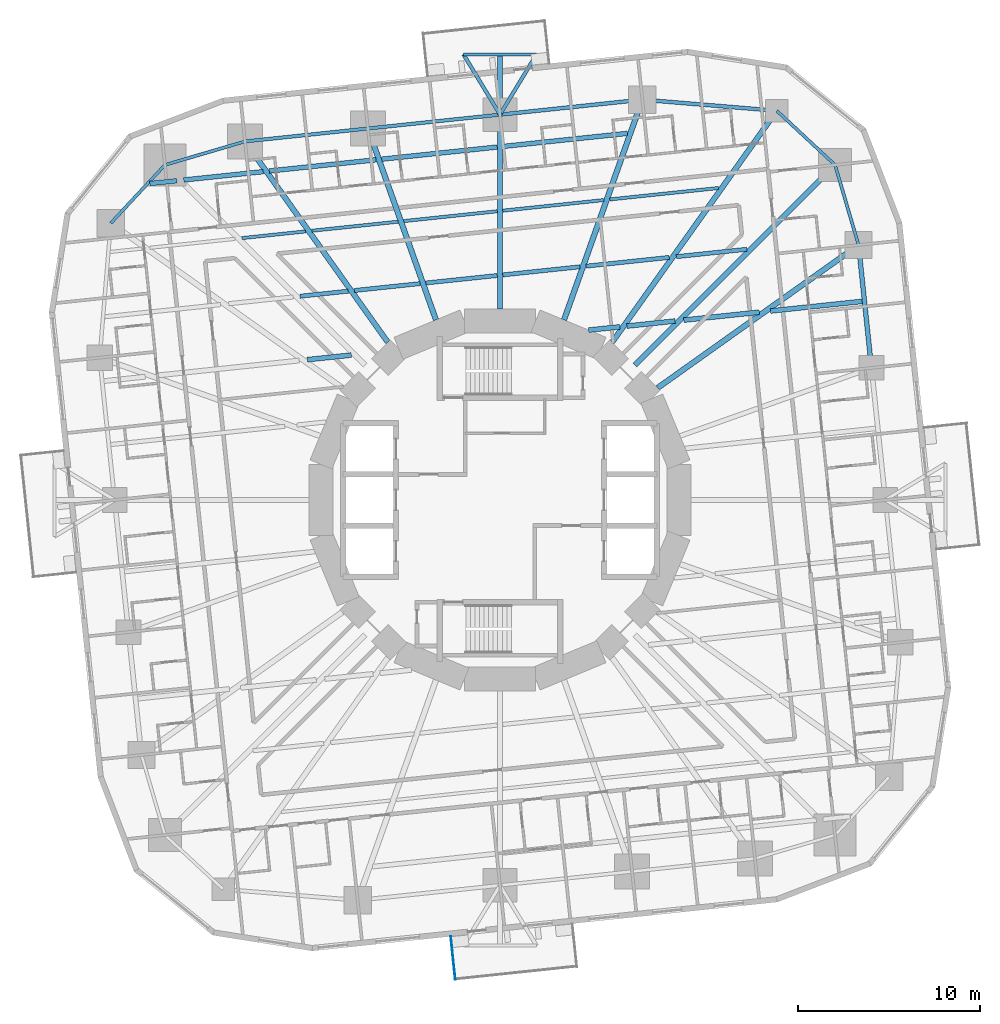
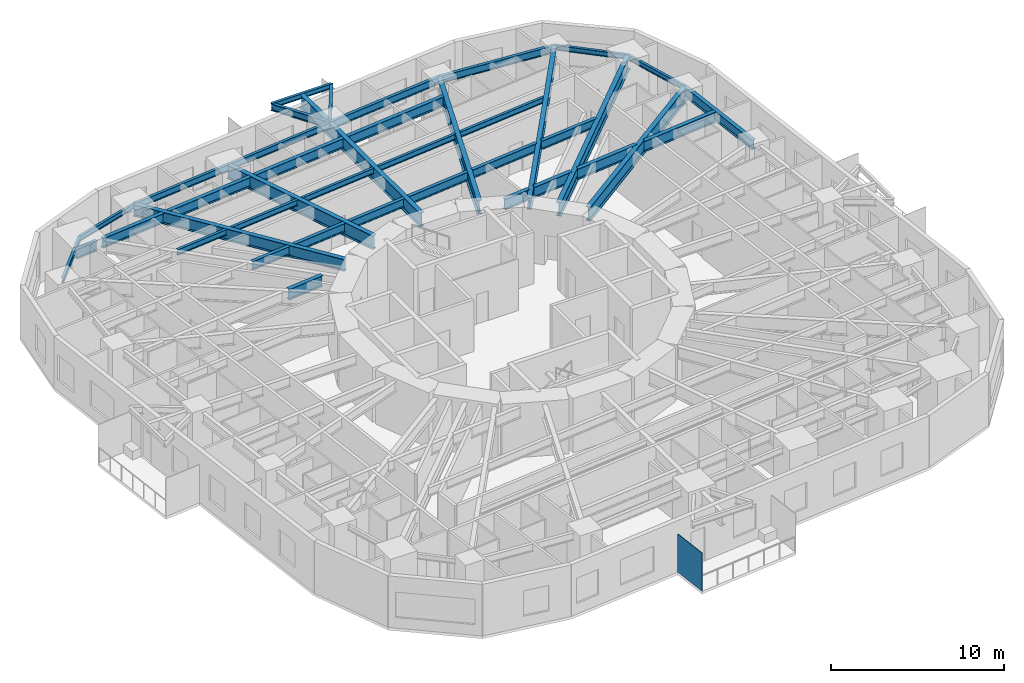
# One storey, part 3 of 15: 40 beams, 1 plate.
"""IFC4 building model written with IfcOpenShell, lengths in metres."""

from ifc_helpers import new_model, si_unit, direction, frame, origin, origin_2d, place, context, subcontext, project, spatial, rectangle, i_section, extrude, material, layer, layer_set, material_profile, profile_set, type_object, element, save


model = new_model("IFC4")

# Units and contexts
model_context = context("Model", 3, precision=1e-05, world=origin(), true_north=direction((0.0, 1.0)))
body_context = subcontext(model_context, "Body", "Model", "MODEL_VIEW")
ifc_project = project(units=[si_unit("LENGTHUNIT", "METRE"), si_unit("AREAUNIT", "SQUARE_METRE"), si_unit("VOLUMEUNIT", "CUBIC_METRE"), si_unit("PLANEANGLEUNIT", "RADIAN"), si_unit("MASSUNIT", "GRAM", prefix="KILO")], contexts=[model_context])

# Site, building, storey
site_placement = place(None, origin())
site = spatial("IfcSite", under=ifc_project, at=site_placement, CompositionType="ELEMENT")
building_placement = place(site_placement, origin())
building = spatial("IfcBuilding", under=site, at=building_placement, Name="Nakasero Lantern House", CompositionType="ELEMENT")
storey_placement = place(building_placement, frame((0.0, 0.0, 68.199951171875)))
storey = spatial("IfcBuildingStorey", under=building, at=storey_placement, Name="L16", CompositionType="ELEMENT", Elevation=68.199951171875)

# Beams
ifc_material_1 = material(Name="Steel S355", Category="steel")
ifc_material_profile_1 = material_profile(ifc_material_1, i_section(OverallWidth=0.199462890625, OverallDepth=0.491943359375, WebThickness=0.01806640625, FlangeThickness=0.031982421875, FilletRadius=0.01025390625, at=origin_2d()), Name="UB 457x191x161")
ifc_profile_set_1 = profile_set([ifc_material_profile_1], Name="Steel S355")
beam_type_1 = type_object("IfcBeamType", Name="Balcony splay beam UB 457x191x161", PredefinedType="BEAM", material=ifc_profile_set_1)
for number, where, z_axis, x_axis, name in (
    (1, (0.0, 21.11572265625, 3.404052734375), (-0.518296107317, 0.855201230787, 0.0), (-0.855201230787, -0.518296107317, 0.0), "Balcony splay beam L17 B2-C09A"),
    (2, (0.0, 21.11572265625, 3.404052734375), (0.518296107317, 0.855201230787, 0.0), (-0.855201230787, 0.518296107317, 0.0), "Balcony splay beam L17 B2-C09B"),
):
    element("IfcBeam", number, at=place(storey_placement, frame(where, z_axis=z_axis, x_axis=x_axis)), inside=storey, type_object=beam_type_1, Name=name, PredefinedType="BEAM", context=body_context, shape_type="SweptSolid", body=[
        extrude(i_section(OverallWidth=0.199462890625, OverallDepth=0.491943359375, WebThickness=0.01806640625, FlangeThickness=0.031982421875, FilletRadius=0.01025390625, at=origin_2d()), origin(), (0.0, 0.0, 1.0), 3.85888671875),
    ])
ifc_material_2 = material(Name="Steel S355", Category="steel")
ifc_material_profile_2 = material_profile(ifc_material_2, i_section(OverallWidth=0.17138671875, OverallDepth=0.35498046875, WebThickness=0.00732421875, FlangeThickness=0.011474609375, FilletRadius=0.01025390625, at=origin_2d()), Name="UB 356x171x51")
ifc_profile_set_2 = profile_set([ifc_material_profile_2], Name="Steel S355")
beam_type_2 = type_object("IfcBeamType", Name="Balcony tie beam UB 356x171x51", PredefinedType="BEAM", material=ifc_profile_set_2)
beam_1_placement = place(storey_placement, frame((-2.0, 24.415771484375, 3.47265625), z_axis=(1.0, 0.0, 0.0), x_axis=(0.0, 1.0, 0.0)))
element("IfcBeam", 3, at=beam_1_placement, inside=storey, type_object=beam_type_2, Name="Balcony tie beam L17 B2-C09", PredefinedType="BEAM", context=body_context, shape_type="SweptSolid", body=[
    extrude(i_section(OverallWidth=0.17138671875, OverallDepth=0.35498046875, WebThickness=0.00732421875, FlangeThickness=0.011474609375, FilletRadius=0.01025390625, at=origin_2d()), origin(), (0.0, 0.0, 1.0), 4.0),
])
ifc_material_3 = material(Name="Steel S355", Category="steel")
ifc_material_profile_3 = material_profile(ifc_material_3, i_section(OverallWidth=0.177978515625, OverallDepth=0.406494140625, WebThickness=0.0078125, FlangeThickness=0.0126953125, FilletRadius=0.01025390625, at=origin_2d()), Name="UB 406x178x60")
ifc_profile_set_3 = profile_set([ifc_material_profile_3], Name="Steel S355")
beam_type_3 = type_object("IfcBeamType", Name="Infill beam UB 406x178x60", PredefinedType="JOIST", material=ifc_profile_set_3)
beam_2_placement = place(storey_placement, frame((-14.1435546875, 14.35009765625, 3.44677734375), z_axis=(0.994521415391, 0.104533029842, 0.0), x_axis=(-0.104533029842, 0.994521415391, 0.0)))
element("IfcBeam", 4, at=beam_2_placement, inside=storey, type_object=beam_type_3, Name="Infill beam L17 12.3", PredefinedType="JOIST", context=body_context, shape_type="SweptSolid", body=[
    extrude(i_section(OverallWidth=0.177978515625, OverallDepth=0.406494140625, WebThickness=0.0078125, FlangeThickness=0.0126953125, FilletRadius=0.01025390625, at=origin_2d()), origin(), (0.0, 0.0, 1.0), 3.517333984375),
])
beam_3_placement = place(storey_placement, frame((-10.3115234375, 14.7529296875, 3.44677734375), z_axis=(0.994523439889, 0.104513767091, 0.0), x_axis=(-0.104513767091, 0.994523439889, 0.0)))
element("IfcBeam", 5, at=beam_3_placement, inside=storey, type_object=beam_type_3, Name="Infill beam L17 12.4", PredefinedType="JOIST", context=body_context, shape_type="SweptSolid", body=[
    extrude(i_section(OverallWidth=0.177978515625, OverallDepth=0.406494140625, WebThickness=0.0078125, FlangeThickness=0.0126953125, FilletRadius=0.01025390625, at=origin_2d()), origin(), (0.0, 0.0, 1.0), 4.756103515625),
])
beam_4_placement = place(storey_placement, frame((-5.2744140625, 15.282470703125, 3.44677734375), z_axis=(0.994522574566, 0.104522000929, 0.0), x_axis=(-0.104522000929, 0.994522574566, 0.0)))
element("IfcBeam", 6, at=beam_4_placement, inside=storey, type_object=beam_type_3, Name="Infill beam L17 12.5", PredefinedType="JOIST", context=body_context, shape_type="SweptSolid", body=[
    extrude(i_section(OverallWidth=0.177978515625, OverallDepth=0.406494140625, WebThickness=0.0078125, FlangeThickness=0.0126953125, FilletRadius=0.01025390625, at=origin_2d()), origin(), (0.0, 0.0, 1.0), 5.15283203125),
])
beam_5_placement = place(storey_placement, frame((0.14990234375, 15.8525390625, 3.44677734375), z_axis=(0.994524188375, 0.104506644464, 0.0), x_axis=(-0.104506644464, 0.994524188375, 0.0)))
element("IfcBeam", 7, at=beam_5_placement, inside=storey, type_object=beam_type_3, Name="Infill beam L17 12.6", PredefinedType="JOIST", context=body_context, shape_type="SweptSolid", body=[
    extrude(i_section(OverallWidth=0.177978515625, OverallDepth=0.406494140625, WebThickness=0.0078125, FlangeThickness=0.0126953125, FilletRadius=0.01025390625, at=origin_2d()), origin(), (0.0, 0.0, 1.0), 5.564697265625),
])
beam_6_placement = place(storey_placement, frame((6.014892578125, 16.468994140625, 3.44677734375), z_axis=(0.994521729164, 0.104530044579, 0.0), x_axis=(-0.104530044579, 0.994521729164, 0.0)))
element("IfcBeam", 8, at=beam_6_placement, inside=storey, type_object=beam_type_3, Name="Infill beam L17 12.7", PredefinedType="JOIST", context=body_context, shape_type="SweptSolid", body=[
    extrude(i_section(OverallWidth=0.177978515625, OverallDepth=0.406494140625, WebThickness=0.0078125, FlangeThickness=0.0126953125, FilletRadius=0.01025390625, at=origin_2d()), origin(), (0.0, 0.0, 1.0), 5.99560546875),
])
ifc_material_4 = material(Name="Steel S355", Category="steel")
ifc_material_profile_4 = material_profile(ifc_material_4, i_section(OverallWidth=0.22900390625, OverallDepth=0.6123046875, WebThickness=0.011962890625, FlangeThickness=0.01953125, FilletRadius=0.0126953125, at=origin_2d()), Name="UB 610x229x125")
ifc_profile_set_4 = profile_set([ifc_material_profile_4], Name="Steel S355")
beam_type_4 = type_object("IfcBeamType", Name="Infill beam UB 610x229x125", PredefinedType="JOIST", material=ifc_profile_set_4)
beam_7_placement = place(storey_placement, frame((-10.958984375, 11.165771484375, 3.343994140625), z_axis=(0.994526079282, 0.104488648322, 0.0), x_axis=(-0.104488648322, 0.994526079282, 0.0)))
element("IfcBeam", 9, at=beam_7_placement, inside=storey, type_object=beam_type_4, Name="Infill beam L17 11.3", PredefinedType="JOIST", context=body_context, shape_type="SweptSolid", body=[
    extrude(i_section(OverallWidth=0.22900390625, OverallDepth=0.6123046875, WebThickness=0.011962890625, FlangeThickness=0.01953125, FilletRadius=0.0126953125, at=origin_2d()), origin(), (0.0, 0.0, 1.0), 2.65673828125),
])
beam_8_placement = place(storey_placement, frame((-7.983154296875, 11.478515625, 3.343994140625), z_axis=(0.994523507044, 0.104513128058, 0.0), x_axis=(-0.104513128058, 0.994523507044, 0.0)))
element("IfcBeam", 10, at=beam_8_placement, inside=storey, type_object=beam_type_4, Name="Infill beam L17 11.4", PredefinedType="JOIST", context=body_context, shape_type="SweptSolid", body=[
    extrude(i_section(OverallWidth=0.22900390625, OverallDepth=0.6123046875, WebThickness=0.011962890625, FlangeThickness=0.01953125, FilletRadius=0.0126953125, at=origin_2d()), origin(), (0.0, 0.0, 1.0), 3.627685546875),
])
beam_9_placement = place(storey_placement, frame((-4.068359375, 11.889892578125, 3.343994140625), z_axis=(0.994521399206, 0.104533183829, 0.0), x_axis=(-0.104533183829, 0.994521399206, 0.0)))
element("IfcBeam", 11, at=beam_9_placement, inside=storey, type_object=beam_type_4, Name="Infill beam L17 11.5", PredefinedType="JOIST", context=body_context, shape_type="SweptSolid", body=[
    extrude(i_section(OverallWidth=0.22900390625, OverallDepth=0.6123046875, WebThickness=0.011962890625, FlangeThickness=0.01953125, FilletRadius=0.0126953125, at=origin_2d()), origin(), (0.0, 0.0, 1.0), 3.93994140625),
])
beam_10_placement = place(storey_placement, frame((0.14990234375, 12.333251953125, 3.343994140625), z_axis=(0.994521465317, 0.104532554847, 0.0), x_axis=(-0.104532554847, 0.994521465317, 0.0)))
element("IfcBeam", 12, at=beam_10_placement, inside=storey, type_object=beam_type_4, Name="Infill beam L17 11.6", PredefinedType="JOIST", context=body_context, shape_type="SweptSolid", body=[
    extrude(i_section(OverallWidth=0.22900390625, OverallDepth=0.6123046875, WebThickness=0.011962890625, FlangeThickness=0.01953125, FilletRadius=0.0126953125, at=origin_2d()), origin(), (0.0, 0.0, 1.0), 4.2578125),
])
beam_11_placement = place(storey_placement, frame((4.71484375, 12.81298828125, 3.343994140625), z_axis=(0.994522952874, 0.104518401282, 0.0), x_axis=(-0.104518401282, 0.994522952874, 0.0)))
element("IfcBeam", 13, at=beam_11_placement, inside=storey, type_object=beam_type_4, Name="Infill beam L17 11.7", PredefinedType="JOIST", context=body_context, shape_type="SweptSolid", body=[
    extrude(i_section(OverallWidth=0.22900390625, OverallDepth=0.6123046875, WebThickness=0.011962890625, FlangeThickness=0.01953125, FilletRadius=0.0126953125, at=origin_2d()), origin(), (0.0, 0.0, 1.0), 4.5830078125),
])
beam_12_placement = place(storey_placement, frame((9.66064453125, 13.332763671875, 3.343994140625), z_axis=(0.99451886442, 0.10455729679, 0.0), x_axis=(-0.10455729679, 0.99451886442, 0.0)))
element("IfcBeam", 14, at=beam_12_placement, inside=storey, type_object=beam_type_4, Name="Infill beam L17 11.8", PredefinedType="JOIST", context=body_context, shape_type="SweptSolid", body=[
    extrude(i_section(OverallWidth=0.22900390625, OverallDepth=0.6123046875, WebThickness=0.011962890625, FlangeThickness=0.01953125, FilletRadius=0.0126953125, at=origin_2d()), origin(), (0.0, 0.0, 1.0), 3.8876953125),
])
ifc_material_5 = material(Name="Steel S355", Category="steel")
ifc_material_profile_5 = material_profile(ifc_material_5, i_section(OverallWidth=0.255859375, OverallDepth=0.69287109375, WebThickness=0.014404296875, FlangeThickness=0.023681640625, FilletRadius=0.01513671875, at=origin_2d()), Name="UB 686x254x170")
ifc_profile_set_5 = profile_set([ifc_material_profile_5], Name="Steel S355")
beam_type_5 = type_object("IfcBeamType", Name="Infill beam UB 686x254x170", PredefinedType="JOIST", material=ifc_profile_set_5)
beam_13_placement = place(storey_placement, frame((-19.190673828125, 17.339111328125, 3.3037109375), z_axis=(0.994535800288, 0.104396082038, 0.0), x_axis=(-0.104396082038, 0.994535800288, 0.0)))
element("IfcBeam", 15, at=beam_13_placement, inside=storey, type_object=beam_type_5, Name="Infill beam L17 13.1", PredefinedType="JOIST", context=body_context, shape_type="SweptSolid", body=[
    extrude(i_section(OverallWidth=0.255859375, OverallDepth=0.69287109375, WebThickness=0.014404296875, FlangeThickness=0.023681640625, FilletRadius=0.01513671875, at=origin_2d()), origin(), (0.0, 0.0, 1.0), 1.49658203125),
])
beam_14_placement = place(storey_placement, frame((-17.328125, 17.53466796875, 3.3037109375), z_axis=(0.994518584312, 0.104559961062, 0.0), x_axis=(-0.104559961062, 0.994518584312, 0.0)))
element("IfcBeam", 16, at=beam_14_placement, inside=storey, type_object=beam_type_5, Name="Infill beam L17 13.2", PredefinedType="JOIST", context=body_context, shape_type="SweptSolid", body=[
    extrude(i_section(OverallWidth=0.255859375, OverallDepth=0.69287109375, WebThickness=0.014404296875, FlangeThickness=0.023681640625, FilletRadius=0.01513671875, at=origin_2d()), origin(), (0.0, 0.0, 1.0), 4.3779296875),
])
beam_15_placement = place(storey_placement, frame((-12.64013671875, 18.027587890625, 3.3037109375), z_axis=(0.994524304789, 0.104505536616, 0.0), x_axis=(-0.104505536616, 0.994524304789, 0.0)))
element("IfcBeam", 17, at=beam_15_placement, inside=storey, type_object=beam_type_5, Name="Infill beam L17 13.3", PredefinedType="JOIST", context=body_context, shape_type="SweptSolid", body=[
    extrude(i_section(OverallWidth=0.255859375, OverallDepth=0.69287109375, WebThickness=0.014404296875, FlangeThickness=0.023681640625, FilletRadius=0.01513671875, at=origin_2d()), origin(), (0.0, 0.0, 1.0), 5.884765625),
])
beam_16_placement = place(storey_placement, frame((-6.480712890625, 18.6748046875, 3.3037109375), z_axis=(0.994519733917, 0.104549026056, 0.0), x_axis=(-0.104549026056, 0.994519733917, 0.0)))
element("IfcBeam", 18, at=beam_16_placement, inside=storey, type_object=beam_type_5, Name="Infill beam L17 13.4", PredefinedType="JOIST", context=body_context, shape_type="SweptSolid", body=[
    extrude(i_section(OverallWidth=0.255859375, OverallDepth=0.69287109375, WebThickness=0.014404296875, FlangeThickness=0.023681640625, FilletRadius=0.01513671875, at=origin_2d()), origin(), (0.0, 0.0, 1.0), 6.36572265625),
])
beam_17_placement = place(storey_placement, frame((0.14990234375, 19.371826171875, 3.3037109375), z_axis=(0.994522182542, 0.10452573096, 0.0), x_axis=(-0.10452573096, 0.994522182542, 0.0)))
element("IfcBeam", 19, at=beam_17_placement, inside=storey, type_object=beam_type_5, Name="Infill beam L17 13.5", PredefinedType="JOIST", context=body_context, shape_type="SweptSolid", body=[
    extrude(i_section(OverallWidth=0.255859375, OverallDepth=0.69287109375, WebThickness=0.014404296875, FlangeThickness=0.023681640625, FilletRadius=0.01513671875, at=origin_2d()), origin(), (0.0, 0.0, 1.0), 6.87158203125),
])
ifc_material_6 = material(Name="Steel S355", Category="steel")
ifc_material_profile_6 = material_profile(ifc_material_6, i_section(OverallWidth=0.2666015625, OverallDepth=0.76220703125, WebThickness=0.014404296875, FlangeThickness=0.021484375, FilletRadius=0.0166015625, at=origin_2d()), Name="UB 762x267x173")
ifc_profile_set_6 = profile_set([ifc_material_profile_6], Name="Steel S355")
beam_type_6 = type_object("IfcBeamType", Name="Infill beam UB 762x267x173", PredefinedType="JOIST", material=ifc_profile_set_6)
beam_18_placement = place(storey_placement, frame((-10.5537109375, 7.68896484375, 3.26904296875), z_axis=(0.99452700398, 0.104479846642, 0.0), x_axis=(-0.104479846642, 0.99452700398, 0.0)))
element("IfcBeam", 20, at=beam_18_placement, inside=storey, type_object=beam_type_6, Name="Infill beam L17 10.3", PredefinedType="JOIST", context=body_context, shape_type="SweptSolid", body=[
    extrude(i_section(OverallWidth=0.2666015625, OverallDepth=0.76220703125, WebThickness=0.014404296875, FlangeThickness=0.021484375, FilletRadius=0.0166015625, at=origin_2d()), origin(), (0.0, 0.0, 1.0), 2.41845703125),
])
beam_19_placement = place(storey_placement, frame((4.85498046875, 9.30859375, 3.26904296875), z_axis=(0.994529501552, 0.104456069922, 0.0), x_axis=(-0.104456069922, 0.994529501552, 0.0)))
element("IfcBeam", 21, at=beam_19_placement, inside=storey, type_object=beam_type_6, Name="Infill beam L17 10.4", PredefinedType="JOIST", context=body_context, shape_type="SweptSolid", body=[
    extrude(i_section(OverallWidth=0.2666015625, OverallDepth=0.76220703125, WebThickness=0.014404296875, FlangeThickness=0.021484375, FilletRadius=0.0166015625, at=origin_2d()), origin(), (0.0, 0.0, 1.0), 1.72265625),
])
beam_20_placement = place(storey_placement, frame((6.955810546875, 9.529296875, 3.26904296875), z_axis=(0.994521575627, 0.104531505358, 0.0), x_axis=(-0.104531505358, 0.994521575627, 0.0)))
element("IfcBeam", 22, at=beam_20_placement, inside=storey, type_object=beam_type_6, Name="Infill beam L17 10.5", PredefinedType="JOIST", context=body_context, shape_type="SweptSolid", body=[
    extrude(i_section(OverallWidth=0.2666015625, OverallDepth=0.76220703125, WebThickness=0.014404296875, FlangeThickness=0.021484375, FilletRadius=0.0166015625, at=origin_2d()), origin(), (0.0, 0.0, 1.0), 2.6533203125),
])
beam_21_placement = place(storey_placement, frame((10.068603515625, 9.8564453125, 3.26904296875), z_axis=(0.994522134672, 0.104526186418, 0.0), x_axis=(-0.104526186418, 0.994522134672, 0.0)))
element("IfcBeam", 23, at=beam_21_placement, inside=storey, type_object=beam_type_6, Name="Infill beam L17 10.6", PredefinedType="JOIST", context=body_context, shape_type="SweptSolid", body=[
    extrude(i_section(OverallWidth=0.2666015625, OverallDepth=0.76220703125, WebThickness=0.014404296875, FlangeThickness=0.021484375, FilletRadius=0.0166015625, at=origin_2d()), origin(), (0.0, 0.0, 1.0), 4.166748046875),
])
beam_22_placement = place(storey_placement, frame((14.823974609375, 10.356201171875, 3.26904296875), z_axis=(0.994520551882, 0.104541244898, 0.0), x_axis=(-0.104541244898, 0.994520551882, 0.0)))
element("IfcBeam", 24, at=beam_22_placement, inside=storey, type_object=beam_type_6, Name="Infill beam L17 10.7", PredefinedType="JOIST", context=body_context, shape_type="SweptSolid", body=[
    extrude(i_section(OverallWidth=0.2666015625, OverallDepth=0.76220703125, WebThickness=0.014404296875, FlangeThickness=0.021484375, FilletRadius=0.0166015625, at=origin_2d()), origin(), (0.0, 0.0, 1.0), 5.046630859375),
])
ifc_material_7 = material(Name="Steel S355", Category="steel")
ifc_material_profile_7 = material_profile(ifc_material_7, i_section(OverallWidth=0.300048828125, OverallDepth=0.97998046875, WebThickness=0.0166015625, FlangeThickness=0.02587890625, FilletRadius=0.030029296875, at=origin_2d()), Name="UB 1016x305x249")
ifc_profile_set_7 = profile_set([ifc_material_profile_7], Name="Steel S355")
beam_type_7 = type_object("IfcBeamType", Name="Primary beam UB 1016x305x249, span 12 to 15 m", PredefinedType="BEAM", material=ifc_profile_set_7)
beam_23_placement = place(storey_placement, frame((7.79931640625, 21.935302734375, 3.159912109375), z_axis=(-0.335017564047, -0.942211882636, 0.0), x_axis=(0.942211882636, -0.335017564047, 0.0)))
element("IfcBeam", 25, at=beam_23_placement, inside=storey, type_object=beam_type_7, Name="Primary beam L17 B2-C08", PredefinedType="BEAM", context=body_context, shape_type="SweptSolid", body=[
    extrude(i_section(OverallWidth=0.300048828125, OverallDepth=0.97998046875, WebThickness=0.0166015625, FlangeThickness=0.02587890625, FilletRadius=0.030029296875, at=origin_2d()), origin(), (0.0, 0.0, 1.0), 12.80908203125),
])
ifc_material_8 = material(Name="Steel S355", Category="steel")
ifc_material_profile_8 = material_profile(ifc_material_8, i_section(OverallWidth=0.300048828125, OverallDepth=0.97998046875, WebThickness=0.0166015625, FlangeThickness=0.02587890625, FilletRadius=0.030029296875, at=origin_2d()), Name="UB 1016x305x249")
ifc_profile_set_8 = profile_set([ifc_material_profile_8], Name="Steel S355")
beam_type_8 = type_object("IfcBeamType", Name="Primary beam UB 1016x305x249, span 9 to 12 m", PredefinedType="BEAM", material=ifc_profile_set_8)
beam_24_placement = place(storey_placement, frame((-7.2373046875, 20.35498046875, 3.159912109375), z_axis=(0.335009234979, -0.942214844119, 0.0), x_axis=(0.942214844119, 0.335009234979, 0.0)))
element("IfcBeam", 26, at=beam_24_placement, inside=storey, type_object=beam_type_8, Name="Primary beam L17 B2-C10", PredefinedType="BEAM", context=body_context, shape_type="SweptSolid", body=[
    extrude(i_section(OverallWidth=0.300048828125, OverallDepth=0.97998046875, WebThickness=0.0166015625, FlangeThickness=0.02587890625, FilletRadius=0.030029296875, at=origin_2d()), origin(), (0.0, 0.0, 1.0), 11.1318359375),
])
ifc_material_9 = material(Name="Steel S355", Category="steel")
ifc_material_profile_9 = material_profile(ifc_material_9, i_section(OverallWidth=0.300048828125, OverallDepth=0.989990234375, WebThickness=0.0166015625, FlangeThickness=0.031005859375, FilletRadius=0.030029296875, at=origin_2d()), Name="UB 1016x305x272")
ifc_profile_set_9 = profile_set([ifc_material_profile_9], Name="Steel S355")
beam_type_9 = type_object("IfcBeamType", Name="Primary beam UB 1016x305x272, span 9 to 12 m", PredefinedType="BEAM", material=ifc_profile_set_9)
beam_25_placement = place(storey_placement, frame((0.0, 24.415771484375, 3.155029296875), z_axis=(0.0, -1.0, 0.0), x_axis=(1.0, 0.0, 0.0)))
element("IfcBeam", 27, at=beam_25_placement, inside=storey, type_object=beam_type_9, Name="Primary beam L17 B2-C09", PredefinedType="BEAM", context=body_context, shape_type="SweptSolid", body=[
    extrude(i_section(OverallWidth=0.300048828125, OverallDepth=0.989990234375, WebThickness=0.0166015625, FlangeThickness=0.031005859375, FilletRadius=0.030029296875, at=origin_2d()), origin(), (0.0, 0.0, 1.0), 13.9580078125),
])
ifc_material_10 = material(Name="Steel S355", Category="steel")
ifc_material_profile_10 = material_profile(ifc_material_10, i_section(OverallWidth=0.300048828125, OverallDepth=0.989990234375, WebThickness=0.0166015625, FlangeThickness=0.031005859375, FilletRadius=0.030029296875, at=origin_2d()), Name="UB 1016x305x272")
ifc_profile_set_10 = profile_set([ifc_material_profile_10], Name="Steel S355")
beam_type_10 = type_object("IfcBeamType", Name="Primary beam UB 1016x305x272, span over 15 m", PredefinedType="BEAM", material=ifc_profile_set_10)
beam_26_placement = place(storey_placement, frame((18.359375, 18.359375, 3.155029296875), z_axis=(-0.707106781187, -0.707106781187, 0.0), x_axis=(0.707106781187, -0.707106781187, 0.0)))
element("IfcBeam", 28, at=beam_26_placement, inside=storey, type_object=beam_type_10, Name="Primary beam L17 B2-C06", PredefinedType="BEAM", context=body_context, shape_type="SweptSolid", body=[
    extrude(i_section(OverallWidth=0.300048828125, OverallDepth=0.989990234375, WebThickness=0.0166015625, FlangeThickness=0.031005859375, FilletRadius=0.030029296875, at=origin_2d()), origin(), (0.0, 0.0, 1.0), 15.50634765625),
])
ifc_material_11 = material(Name="Steel S355", Category="steel")
ifc_material_profile_11 = material_profile(ifc_material_11, i_section(OverallWidth=0.302001953125, OverallDepth=1.008056640625, WebThickness=0.02099609375, FlangeThickness=0.0400390625, FilletRadius=0.030029296875, at=origin_2d()), Name="UB 1016x305x349")
ifc_profile_set_11 = profile_set([ifc_material_profile_11], Name="Steel S355")
beam_type_11 = type_object("IfcBeamType", Name="Primary beam UB 1016x305x349, span 12 to 15 m", PredefinedType="BEAM", material=ifc_profile_set_11)
beam_27_placement = place(storey_placement, frame((19.647216796875, 13.971435546875, 3.14599609375), z_axis=(-0.814948492976, -0.579533393168, 0.0), x_axis=(0.579533393168, -0.814948492976, 0.0)))
element("IfcBeam", 29, at=beam_27_placement, inside=storey, type_object=beam_type_11, Name="Primary beam L17 B2-C05", PredefinedType="BEAM", context=body_context, shape_type="SweptSolid", body=[
    extrude(i_section(OverallWidth=0.302001953125, OverallDepth=1.008056640625, WebThickness=0.02099609375, FlangeThickness=0.0400390625, FilletRadius=0.030029296875, at=origin_2d()), origin(), (0.0, 0.0, 1.0), 13.502685546875),
])
ifc_material_12 = material(Name="Steel S355", Category="steel")
ifc_material_profile_12 = material_profile(ifc_material_12, i_section(OverallWidth=0.29248046875, OverallDepth=0.8408203125, WebThickness=0.0146484375, FlangeThickness=0.02685546875, FilletRadius=0.017822265625, at=origin_2d()), Name="UB 838x292x194")
ifc_profile_set_12 = profile_set([ifc_material_profile_12], Name="Steel S355")
beam_type_12 = type_object("IfcBeamType", Name="Primary beam UB 838x292x194, span 12 to 15 m", PredefinedType="BEAM", material=ifc_profile_set_12)
beam_28_placement = place(storey_placement, frame((-13.971435546875, 19.647216796875, 3.229736328125), z_axis=(0.579533393168, -0.814948492976, 0.0), x_axis=(0.814948492976, 0.579533393168, 0.0)))
element("IfcBeam", 30, at=beam_28_placement, inside=storey, type_object=beam_type_12, Name="Primary beam L17 B2-C11", PredefinedType="BEAM", context=body_context, shape_type="SweptSolid", body=[
    extrude(i_section(OverallWidth=0.29248046875, OverallDepth=0.8408203125, WebThickness=0.0146484375, FlangeThickness=0.02685546875, FilletRadius=0.017822265625, at=origin_2d()), origin(), (0.0, 0.0, 1.0), 13.502685546875),
])
ifc_material_13 = material(Name="Steel S355", Category="steel")
ifc_material_profile_13 = material_profile(ifc_material_13, i_section(OverallWidth=0.29248046875, OverallDepth=0.8408203125, WebThickness=0.0146484375, FlangeThickness=0.02685546875, FilletRadius=0.017822265625, at=origin_2d()), Name="UB 838x292x194")
ifc_profile_set_13 = profile_set([ifc_material_profile_13], Name="Steel S355")
beam_type_13 = type_object("IfcBeamType", Name="Primary beam UB 838x292x194, span over 15 m", PredefinedType="BEAM", material=ifc_profile_set_13)
beam_29_placement = place(storey_placement, frame((15.16650390625, 21.327880859375, 3.229736328125), z_axis=(-0.57952911085, -0.814951538239, 0.0), x_axis=(0.814951538239, -0.57952911085, 0.0)))
element("IfcBeam", 31, at=beam_29_placement, inside=storey, type_object=beam_type_13, Name="Primary beam L17 B2-C07", PredefinedType="BEAM", context=body_context, shape_type="SweptSolid", body=[
    extrude(i_section(OverallWidth=0.29248046875, OverallDepth=0.8408203125, WebThickness=0.0146484375, FlangeThickness=0.02685546875, FilletRadius=0.017822265625, at=origin_2d()), origin(), (0.0, 0.0, 1.0), 15.564697265625),
])
ifc_material_14 = material(Name="Steel S355", Category="steel")
ifc_material_profile_14 = material_profile(ifc_material_14, i_section(OverallWidth=0.17138671875, OverallDepth=0.35498046875, WebThickness=0.00732421875, FlangeThickness=0.011474609375, FilletRadius=0.01025390625, at=origin_2d()), Name="UB 356x171x51")
ifc_profile_set_14 = profile_set([ifc_material_profile_14], Name="Steel S355")
beam_type_14 = type_object("IfcBeamType", Name="Ring beam UB 356x171x51", PredefinedType="BEAM", material=ifc_profile_set_14)
beam_30_placement = place(storey_placement, frame((19.647216796875, 13.971435546875, 3.47265625), z_axis=(-0.28161710443, 0.959526865957, 0.0), x_axis=(-0.959526865957, -0.28161710443, 0.0)))
element("IfcBeam", 32, at=beam_30_placement, inside=storey, type_object=beam_type_14, Name="Ring beam L17 B2-C05", PredefinedType="BEAM", context=body_context, shape_type="SweptSolid", body=[
    extrude(i_section(OverallWidth=0.17138671875, OverallDepth=0.35498046875, WebThickness=0.00732421875, FlangeThickness=0.011474609375, FilletRadius=0.01025390625, at=origin_2d()), origin(), (0.0, 0.0, 1.0), 4.572998046875),
])
beam_31_placement = place(storey_placement, frame((18.359375, 18.359375, 3.47265625), z_axis=(-0.732370510336, 0.680906333933, 0.0), x_axis=(-0.680906333933, -0.732370510336, 0.0)))
element("IfcBeam", 33, at=beam_31_placement, inside=storey, type_object=beam_type_14, Name="Ring beam L17 B2-C06", PredefinedType="BEAM", context=body_context, shape_type="SweptSolid", body=[
    extrude(i_section(OverallWidth=0.17138671875, OverallDepth=0.35498046875, WebThickness=0.00732421875, FlangeThickness=0.011474609375, FilletRadius=0.01025390625, at=origin_2d()), origin(), (0.0, 0.0, 1.0), 4.359619140625),
])
beam_32_placement = place(storey_placement, frame((-13.971435546875, 19.647216796875, 3.47265625), z_axis=(-0.959526865957, -0.28161710443, 0.0), x_axis=(0.28161710443, -0.959526865957, 0.0)))
element("IfcBeam", 34, at=beam_32_placement, inside=storey, type_object=beam_type_14, Name="Ring beam L17 B2-C11", PredefinedType="BEAM", context=body_context, shape_type="SweptSolid", body=[
    extrude(i_section(OverallWidth=0.17138671875, OverallDepth=0.35498046875, WebThickness=0.00732421875, FlangeThickness=0.011474609375, FilletRadius=0.01025390625, at=origin_2d()), origin(), (0.0, 0.0, 1.0), 4.572998046875),
])
beam_33_placement = place(storey_placement, frame((-18.359375, 18.359375, 3.47265625), z_axis=(-0.680906333933, -0.732370510336, 0.0), x_axis=(0.732370510336, -0.680906333933, 0.0)))
element("IfcBeam", 35, at=beam_33_placement, inside=storey, type_object=beam_type_14, Name="Ring beam L17 B2-C12", PredefinedType="BEAM", context=body_context, shape_type="SweptSolid", body=[
    extrude(i_section(OverallWidth=0.17138671875, OverallDepth=0.35498046875, WebThickness=0.00732421875, FlangeThickness=0.011474609375, FilletRadius=0.01025390625, at=origin_2d()), origin(), (0.0, 0.0, 1.0), 4.359619140625),
])
ifc_material_15 = material(Name="Steel S355", Category="steel")
ifc_material_profile_15 = material_profile(ifc_material_15, i_section(OverallWidth=0.18994140625, OverallDepth=0.453369140625, WebThickness=0.008544921875, FlangeThickness=0.0126953125, FilletRadius=0.01025390625, at=origin_2d()), Name="UB 457x191x67")
ifc_profile_set_15 = profile_set([ifc_material_profile_15], Name="Steel S355")
beam_type_15 = type_object("IfcBeamType", Name="Ring beam UB 457x191x67", PredefinedType="BEAM", material=ifc_profile_set_15)
beam_34_placement = place(storey_placement, frame((-7.2373046875, 20.35498046875, 3.42333984375), z_axis=(-0.994522233155, -0.10452524939, 0.0), x_axis=(0.10452524939, -0.994522233155, 0.0)))
element("IfcBeam", 36, at=beam_34_placement, inside=storey, type_object=beam_type_15, Name="Ring beam L17 B2-C10", PredefinedType="BEAM", context=body_context, shape_type="SweptSolid", body=[
    extrude(i_section(OverallWidth=0.18994140625, OverallDepth=0.453369140625, WebThickness=0.008544921875, FlangeThickness=0.0126953125, FilletRadius=0.01025390625, at=origin_2d()), origin(), (0.0, 0.0, 1.0), 6.771240234375),
])
ifc_material_16 = material(Name="Steel S355", Category="steel")
ifc_material_profile_16 = material_profile(ifc_material_16, i_section(OverallWidth=0.19140625, OverallDepth=0.4599609375, WebThickness=0.010009765625, FlangeThickness=0.01611328125, FilletRadius=0.01025390625, at=origin_2d()), Name="UB 457x191x82")
ifc_profile_set_16 = profile_set([ifc_material_profile_16], Name="Steel S355")
beam_type_16 = type_object("IfcBeamType", Name="Ring beam UB 457x191x82", PredefinedType="BEAM", material=ifc_profile_set_16)
beam_35_placement = place(storey_placement, frame((0.0, 21.11572265625, 3.420166015625), z_axis=(-0.994520883746, -0.104538087767, 0.0), x_axis=(0.104538087767, -0.994520883746, 0.0)))
element("IfcBeam", 37, at=beam_35_placement, inside=storey, type_object=beam_type_16, Name="Ring beam L17 B2-C09", PredefinedType="BEAM", context=body_context, shape_type="SweptSolid", body=[
    extrude(i_section(OverallWidth=0.19140625, OverallDepth=0.4599609375, WebThickness=0.010009765625, FlangeThickness=0.01611328125, FilletRadius=0.01025390625, at=origin_2d()), origin(), (0.0, 0.0, 1.0), 7.277099609375),
])
ifc_material_17 = material(Name="Steel S355", Category="steel")
ifc_material_profile_17 = material_profile(ifc_material_17, i_section(OverallWidth=0.208740234375, OverallDepth=0.5283203125, WebThickness=0.009521484375, FlangeThickness=0.01318359375, FilletRadius=0.0126953125, at=origin_2d()), Name="UB 533x210x82")
ifc_profile_set_17 = profile_set([ifc_material_profile_17], Name="Steel S355")
beam_type_17 = type_object("IfcBeamType", Name="Ring beam UB 533x210x82", PredefinedType="BEAM", material=ifc_profile_set_17)
beam_36_placement = place(storey_placement, frame((15.16650390625, 21.327880859375, 3.385986328125), z_axis=(-0.996618261264, 0.08217080574, 0.0), x_axis=(-0.08217080574, -0.996618261264, 0.0)))
element("IfcBeam", 38, at=beam_36_placement, inside=storey, type_object=beam_type_17, Name="Ring beam L17 B2-C07", PredefinedType="BEAM", context=body_context, shape_type="SweptSolid", body=[
    extrude(i_section(OverallWidth=0.208740234375, OverallDepth=0.5283203125, WebThickness=0.009521484375, FlangeThickness=0.01318359375, FilletRadius=0.0126953125, at=origin_2d()), origin(), (0.0, 0.0, 1.0), 7.39208984375),
])
beam_37_placement = place(storey_placement, frame((7.79931640625, 21.935302734375, 3.385986328125), z_axis=(-0.994524030789, -0.104508144098, 0.0), x_axis=(0.104508144098, -0.994524030789, 0.0)))
element("IfcBeam", 39, at=beam_37_placement, inside=storey, type_object=beam_type_17, Name="Ring beam L17 B2-C08", PredefinedType="BEAM", context=body_context, shape_type="SweptSolid", body=[
    extrude(i_section(OverallWidth=0.208740234375, OverallDepth=0.5283203125, WebThickness=0.009521484375, FlangeThickness=0.01318359375, FilletRadius=0.0126953125, at=origin_2d()), origin(), (0.0, 0.0, 1.0), 7.84228515625),
])
ifc_material_18 = material(Name="Steel S355", Category="steel")
ifc_material_profile_18 = material_profile(ifc_material_18, i_section(OverallWidth=0.255859375, OverallDepth=0.69287109375, WebThickness=0.014404296875, FlangeThickness=0.023681640625, FilletRadius=0.01513671875, at=origin_2d()), Name="UB 686x254x170")
ifc_profile_set_18 = profile_set([ifc_material_profile_18], Name="Steel S355")
beam_type_18 = type_object("IfcBeamType", Name="Ring beam UB 686x254x170", PredefinedType="BEAM", material=ifc_profile_set_18)
beam_38_placement = place(storey_placement, frame((20.35498046875, 7.2373046875, 3.3037109375), z_axis=(-0.10452524939, 0.994522233155, 0.0), x_axis=(-0.994522233155, -0.10452524939, 0.0)))
element("IfcBeam", 40, at=beam_38_placement, inside=storey, type_object=beam_type_18, Name="Ring beam L17 B2-C04", PredefinedType="BEAM", context=body_context, shape_type="SweptSolid", body=[
    extrude(i_section(OverallWidth=0.255859375, OverallDepth=0.69287109375, WebThickness=0.014404296875, FlangeThickness=0.023681640625, FilletRadius=0.01513671875, at=origin_2d()), origin(), (0.0, 0.0, 1.0), 6.771240234375),
])

# Plate
ifc_material_19 = material(Name="Aluminium 6063-T6", Category="aluminium")
ifc_layer = layer(ifc_material_19, 0.0400390625)
ifc_layer_set = layer_set([ifc_layer], Name="Balcony screen 2400x2700")
plate_type = type_object("IfcPlateType", Name="Balcony screen 2400x2700", PredefinedType="SHEET", material=ifc_layer_set)
plate_placement = place(storey_placement, frame((-2.56982421875, -25.106201171875, 0.0), z_axis=(0.0, 0.0, 1.0), x_axis=(0.104528463268, -0.994521895368, 0.0)))
element("IfcPlate", 41, at=plate_placement, inside=storey, type_object=plate_type, Name="Balcony SCREEN L16 BAL3A", PredefinedType="SHEET", context=body_context, shape_type="SweptSolid", body=[
    extrude(rectangle(XDim=2.39990234375, YDim=0.0400390625, at=origin_2d()), origin(), (0.0, 0.0, 1.0), 2.699951171875),
])

save(model, "model.ifc")
